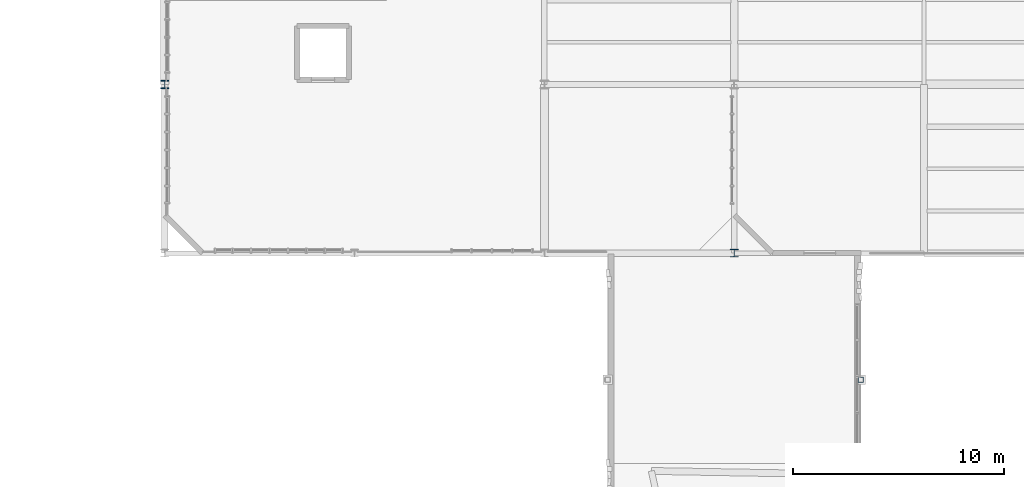
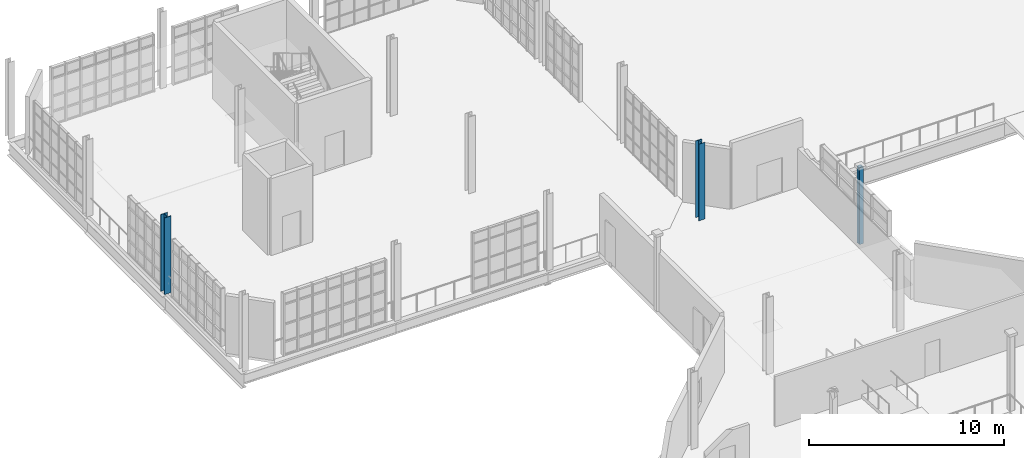
# One storey, part 4 of 85: 3 columns.
"""IFC4 building model written with IfcOpenShell, lengths in metres."""

from ifc_helpers import new_model, si_unit, direction, frame, origin, origin_2d, place, context, subcontext, project, spatial, hollow_rectangle, i_section, extrude, material, material_profile, profile_set, type_object, element, save


model = new_model("IFC4")

# Units and contexts
model_context = context("Model", 3, precision=1e-05, world=origin(), true_north=direction((0.0, 1.0)))
body_context = subcontext(model_context, "Body", "Model", "MODEL_VIEW")
ifc_project = project(units=[si_unit("LENGTHUNIT", "METRE"), si_unit("AREAUNIT", "SQUARE_METRE"), si_unit("VOLUMEUNIT", "CUBIC_METRE"), si_unit("PLANEANGLEUNIT", "RADIAN"), si_unit("MASSUNIT", "GRAM", prefix="KILO"), si_unit("THERMODYNAMICTEMPERATUREUNIT", "KELVIN"), si_unit("POWERUNIT", "WATT")], contexts=[model_context])

# Site, building, storey
site_placement = place(None, origin())
site = spatial("IfcSite", under=ifc_project, at=site_placement, CompositionType="ELEMENT")
building_placement = place(site_placement, origin())
building = spatial("IfcBuilding", under=site, at=building_placement, Name="Zelmaris Science Centre", CompositionType="ELEMENT")
storey_placement = place(building_placement, frame((0.0, 0.0, 20.39990234375)))
storey = spatial("IfcBuildingStorey", under=building, at=storey_placement, Name="L04", CompositionType="ELEMENT", Elevation=20.39990234375)

# Columns
ifc_material_1 = material(Name="Steel ASTM A992 Grade 50", Category="steel")
ifc_material_profile_1 = material_profile(ifc_material_1, i_section(OverallWidth=0.39892578125, OverallDepth=0.385986328125, WebThickness=0.02099609375, FlangeThickness=0.033203125, FilletRadius=0.014892578125, at=origin_2d()), Name="W14X176")
ifc_profile_set_1 = profile_set([ifc_material_profile_1], Name="Steel ASTM A992 Grade 50")
column_type_1 = type_object("IfcColumnType", Name="Column C-04 W14X176", PredefinedType="COLUMN", material=ifc_profile_set_1)
column_1_placement = place(storey_placement, frame((54.0, 72.0, 0.0), z_axis=(0.0, 0.0, 1.0), x_axis=(1.0, 0.0, 0.0)))
element("IfcColumn", 1, at=column_1_placement, inside=storey, type_object=column_type_1, Name="Column V5-C-54-72 L04", PredefinedType="COLUMN", context=body_context, shape_type="SweptSolid", body=[
    extrude(i_section(OverallWidth=0.39892578125, OverallDepth=0.385986328125, WebThickness=0.02099609375, FlangeThickness=0.033203125, FilletRadius=0.014892578125, at=origin_2d()), origin(), (0.0, 0.0, 1.0), 4.800048828125),
])
ifc_material_profile_2 = material_profile(ifc_material_1, i_section(OverallWidth=0.367919921875, OverallDepth=0.35595703125, WebThickness=0.01123046875, FlangeThickness=0.01806640625, FilletRadius=0.014892578125, at=origin_2d()), Name="W14X90")
ifc_profile_set_2 = profile_set([ifc_material_profile_2], Name="Steel ASTM A992 Grade 50")
column_type_2 = type_object("IfcColumnType", Name="Column C-07 W14X90", PredefinedType="COLUMN", material=ifc_profile_set_2)
column_2_placement = place(storey_placement, frame((81.0, 64.0, 0.0), z_axis=(0.0, 0.0, 1.0), x_axis=(1.0, 0.0, 0.0)))
element("IfcColumn", 2, at=column_2_placement, inside=storey, type_object=column_type_2, Name="Column V5-C-81-64 L04", PredefinedType="COLUMN", context=body_context, shape_type="SweptSolid", body=[
    extrude(i_section(OverallWidth=0.367919921875, OverallDepth=0.35595703125, WebThickness=0.01123046875, FlangeThickness=0.01806640625, FilletRadius=0.014892578125, at=origin_2d()), origin(), (0.0, 0.0, 1.0), 4.800048828125),
])
ifc_material_2 = material(Name="Steel ASTM A500 Grade C", Category="steel")
ifc_material_profile_3 = material_profile(ifc_material_2, hollow_rectangle(XDim=0.25390625, YDim=0.25390625, WallThickness=0.01171875, InnerFilletRadius=0.01171875, OuterFilletRadius=0.023681640625, at=origin_2d()), Name="HSS254X254X13")
ifc_profile_set_3 = profile_set([ifc_material_profile_3], Name="Steel ASTM A500 Grade C")
column_type_3 = type_object("IfcColumnType", Name="Column C-11 HSS254X254X13", PredefinedType="COLUMN", material=ifc_profile_set_3)
column_3_placement = place(storey_placement, frame((87.0, 58.0, 0.0), z_axis=(0.0, 0.0, 1.0), x_axis=(1.0, 0.0, 0.0)))
element("IfcColumn", 3, at=column_3_placement, inside=storey, type_object=column_type_3, Name="Column LK-N-87 L04", PredefinedType="COLUMN", context=body_context, shape_type="SweptSolid", body=[
    extrude(hollow_rectangle(XDim=0.25390625, YDim=0.25390625, WallThickness=0.01171875, InnerFilletRadius=0.01171875, OuterFilletRadius=0.023681640625, at=origin_2d()), origin(), (0.0, 0.0, 1.0), 4.800048828125),
])

save(model, "model.ifc")
